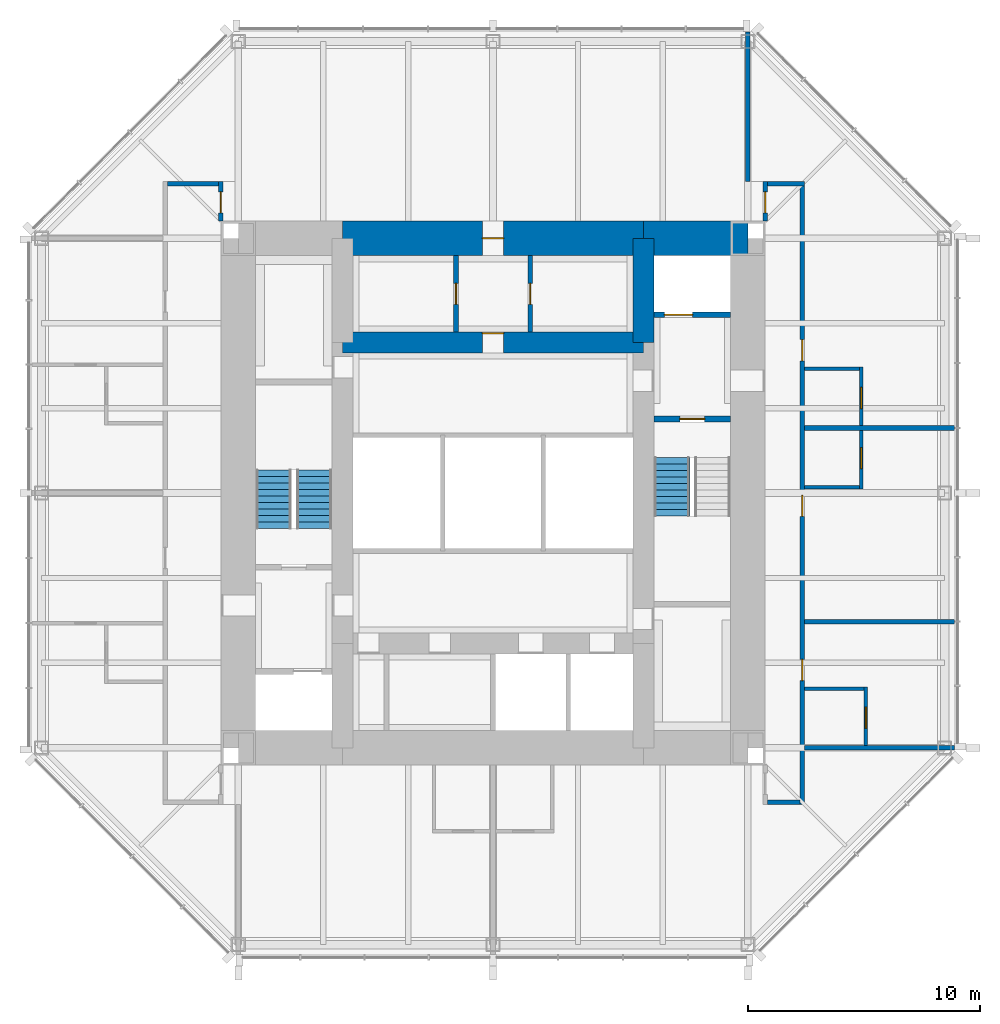
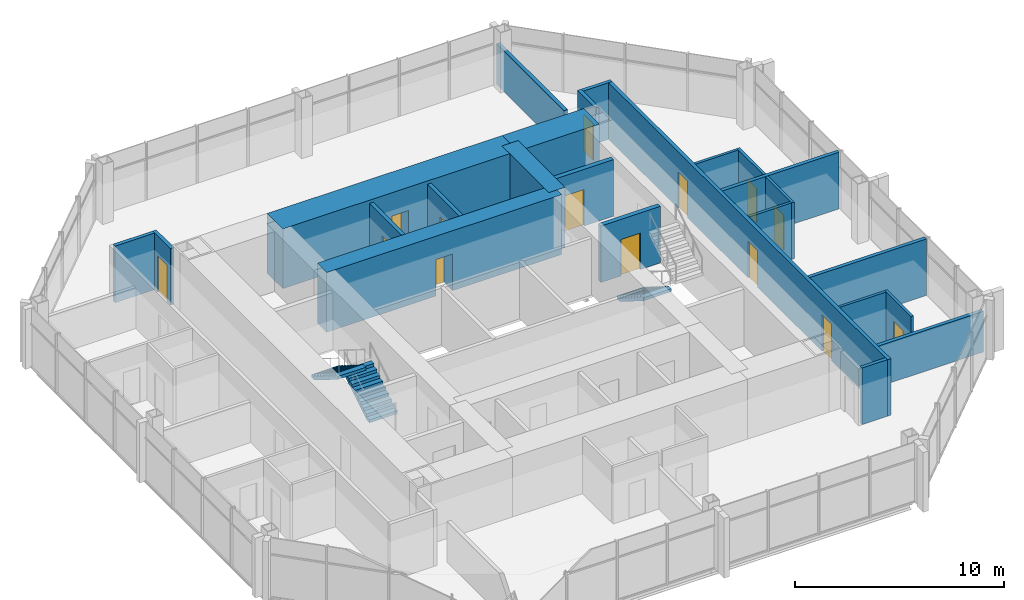
# One storey, part 9 of 11: 24 walls, 14 doors, 3 stair flights, 14 openings, 2 elements without a shape of their own.
"""IFC4 building model written with IfcOpenShell, lengths in metres."""

from ifc_helpers import new_model, si_unit, direction, frame, frame_2d, origin, place, context, subcontext, project, spatial, polyline, rectangle, outline, extrude, material, layer, layer_set, type_object, element, fill, aggregate, save


model = new_model("IFC4")

# Units and contexts
model_context = context("Model", 3, precision=1e-05, world=origin(), true_north=direction((0.0, 1.0)))
body_context = subcontext(model_context, "Body", "Model", "MODEL_VIEW")
ifc_project = project(units=[si_unit("LENGTHUNIT", "METRE"), si_unit("AREAUNIT", "SQUARE_METRE"), si_unit("VOLUMEUNIT", "CUBIC_METRE"), si_unit("PLANEANGLEUNIT", "RADIAN"), si_unit("MASSUNIT", "GRAM", prefix="KILO")], contexts=[model_context])

# Site, building, storey
site_placement = place(None, origin())
site = spatial("IfcSite", under=ifc_project, at=site_placement, CompositionType="ELEMENT")
building_placement = place(site_placement, origin())
building = spatial("IfcBuilding", under=site, at=building_placement, Name="Trevanion Tower", CompositionType="ELEMENT")
storey_placement = place(building_placement, frame((0.0, 0.0, 253.699951171875)))
storey = spatial("IfcBuildingStorey", under=building, at=storey_placement, Name="L62", CompositionType="ELEMENT", Elevation=253.699951171875)

# Wall
ifc_material_1 = material(Name="Concrete 10,000 psi", Category="concrete")
ifc_layer_1 = layer(ifc_material_1, 1.5)
ifc_layer_set_1 = layer_set([ifc_layer_1], Name="CW1 core wall 1500")
wall_type_1 = type_object("IfcWallType", Name="CW1 core wall 1500", PredefinedType="SHEAR", material=ifc_layer_set_1)
wall_1_placement = place(storey_placement, frame((11.0, 11.0, 0.0), z_axis=(0.0, 0.0, 1.0), x_axis=(-1.0, 0.0, 0.0)))
element("IfcWall", 1, at=wall_1_placement, inside=storey, type_object=wall_type_1, Name="CW1 CN1 L62", PredefinedType="SHEAR", context=body_context, shape_type="SweptSolid", body=[
    extrude(rectangle(XDim=4.5, YDim=1.5, at=frame_2d((2.25, 0.0))), origin(), (0.0, 0.0, 1.0), 3.5),
])

# Wall, opening, door
wall_2_placement = place(storey_placement, frame((6.5, 11.0, 0.0), z_axis=(0.0, 0.0, 1.0), x_axis=(-1.0, 0.0, 0.0)))
wall_2 = element("IfcWall", 2, at=wall_2_placement, inside=storey, type_object=wall_type_1, Name="CW1 CN2 L62", PredefinedType="SHEAR", context=body_context, shape_type="SweptSolid", body=[
    extrude(rectangle(XDim=13.0, YDim=1.5, at=frame_2d((6.5, 0.0))), origin(), (0.0, 0.0, 1.0), 3.5),
])
opening_1_placement = place(wall_2_placement, frame((6.04248046875, 0.0, 0.0)))
opening_1 = element("IfcOpeningElement", 3, at=opening_1_placement, cuts=wall_2, Name="Opening 62-015", PredefinedType="OPENING", context=body_context, shape_type="SweptSolid", body=[
    extrude(rectangle(XDim=0.9150390625, YDim=2.134033203125, at=frame_2d((0.45751953125, 1.06689453125))), frame((0.0, 0.760009765625, 0.0), z_axis=(0.0, -1.0, 0.0), x_axis=(1.0, 0.0, 0.0)), (0.0, 0.0, 1.0), 1.52001953125),
])
ifc_material_2 = material(Name="Hollow metal, fire rated", Category="steel")
door_type_1 = type_object("IfcDoorType", Name="D5 service room door", OperationType="SINGLE_SWING_RIGHT", PredefinedType="DOOR", material=ifc_material_2)
door_1_placement = place(opening_1_placement, origin())
door_1 = element("IfcDoor", 4, at=door_1_placement, inside=storey, type_object=door_type_1, Name="Door 62-015", OperationType="SINGLE_SWING_RIGHT", OverallHeight=2.134033203125, OverallWidth=0.9150390625, PredefinedType="DOOR", context=body_context, shape_type="SweptSolid", body=[
    extrude(rectangle(XDim=0.9150390625, YDim=2.134033203125, at=frame_2d((0.45751953125, 1.06689453125))), frame((0.0, 0.02490234375, 0.0), z_axis=(0.0, -1.0, 0.0), x_axis=(1.0, 0.0, 0.0)), (0.0, 0.0, 1.0), 0.050048828125),
])
fill(opening_1, door_1)

# Wall
ifc_material_3 = material(Name="Concrete 10,000 psi", Category="concrete")
ifc_layer_2 = layer(ifc_material_3, 0.89990234375)
ifc_layer_set_2 = layer_set([ifc_layer_2], Name="CW2 core wall 900")
wall_type_2 = type_object("IfcWallType", Name="CW2 core wall 900", PredefinedType="SHEAR", material=ifc_layer_set_2)
wall_3_placement = place(storey_placement, frame((6.5, 6.5, 0.0), z_axis=(0.0, 0.0, 1.0), x_axis=(0.0, 1.0, 0.0)))
element("IfcWall", 5, at=wall_3_placement, inside=storey, type_object=wall_type_2, Name="CW2 RE3 L62", PredefinedType="SHEAR", context=body_context, shape_type="SweptSolid", body=[
    extrude(rectangle(XDim=4.5, YDim=0.89990234375, at=frame_2d((2.25, 0.0))), origin(), (0.0, 0.0, 1.0), 3.5),
])

# Wall, opening, door
wall_4_placement = place(storey_placement, frame((6.5, 6.5, 0.0), z_axis=(0.0, 0.0, 1.0), x_axis=(-1.0, 0.0, 0.0)))
wall_4 = element("IfcWall", 6, at=wall_4_placement, inside=storey, type_object=wall_type_2, Name="CW2 RN L62", PredefinedType="SHEAR", context=body_context, shape_type="SweptSolid", body=[
    extrude(rectangle(XDim=13.0, YDim=0.89990234375, at=frame_2d((6.5, 0.0))), origin(), (0.0, 0.0, 1.0), 3.5),
])
opening_2_placement = place(wall_4_placement, frame((6.04248046875, 0.0, 0.0)))
opening_2 = element("IfcOpeningElement", 7, at=opening_2_placement, cuts=wall_4, Name="Opening 62-016", PredefinedType="OPENING", context=body_context, shape_type="SweptSolid", body=[
    extrude(rectangle(XDim=0.9150390625, YDim=2.134033203125, at=frame_2d((0.45751953125, 1.06689453125))), frame((0.0, 0.4599609375, 0.0), z_axis=(0.0, -1.0, 0.0), x_axis=(1.0, 0.0, 0.0)), (0.0, 0.0, 1.0), 0.919921875),
])
door_2_placement = place(opening_2_placement, origin())
door_2 = element("IfcDoor", 8, at=door_2_placement, inside=storey, type_object=door_type_1, Name="Door 62-016", OperationType="SINGLE_SWING_RIGHT", OverallHeight=2.134033203125, OverallWidth=0.9150390625, PredefinedType="DOOR", context=body_context, shape_type="SweptSolid", body=[
    extrude(rectangle(XDim=0.9150390625, YDim=2.134033203125, at=frame_2d((0.45751953125, 1.06689453125))), frame((0.0, -0.375, 0.0), z_axis=(0.0, -1.0, 0.0), x_axis=(1.0, 0.0, 0.0)), (0.0, 0.0, 1.0), 0.050048828125),
])
fill(opening_2, door_2)

ifc_material_4 = material(Name="Gypsum board on steel studs", Category="steel")
ifc_layer_3 = layer(ifc_material_4, 0.14990234375)
ifc_layer_set_3 = layer_set([ifc_layer_3], Name="PT1 partition 150")
wall_type_3 = type_object("IfcWallType", Name="PT1 partition 150", PredefinedType="PARTITIONING", material=ifc_layer_set_3)
wall_5_placement = place(storey_placement, frame((16.10009765625, -10.89990234375, 0.0), z_axis=(0.0, 0.0, 1.0), x_axis=(0.0, 1.0, 0.0)))
wall_5 = element("IfcWall", 9, at=wall_5_placement, inside=storey, type_object=wall_type_3, Name="PT1 L62 BA00", PredefinedType="PARTITIONING", context=body_context, shape_type="SweptSolid", body=[
    extrude(rectangle(XDim=2.52490234375, YDim=0.14990234375, at=frame_2d((1.262451171875, 0.0))), origin(), (0.0, 0.0, 1.0), 3.31005859375),
])
opening_3_placement = place(wall_5_placement, frame((0.742431640625, 0.0, 0.0)))
opening_3 = element("IfcOpeningElement", 10, at=opening_3_placement, cuts=wall_5, Name="Opening 62-019", PredefinedType="OPENING", context=body_context, shape_type="SweptSolid", body=[
    extrude(rectangle(XDim=0.9150390625, YDim=2.031982421875, at=frame_2d((0.45751953125, 1.01611328125))), frame((0.0, 0.0849609375, 0.0), z_axis=(0.0, -1.0, 0.0), x_axis=(1.0, 0.0, 0.0)), (0.0, 0.0, 1.0), 0.169921875),
])
ifc_material_5 = material(Name="Timber veneer", Category="wood")
door_type_2 = type_object("IfcDoorType", Name="D7 bathroom door", OperationType="SINGLE_SWING_LEFT", PredefinedType="DOOR", material=ifc_material_5)
door_3_placement = place(opening_3_placement, origin())
door_3 = element("IfcDoor", 11, at=door_3_placement, inside=storey, type_object=door_type_2, Name="Door 62-019", OperationType="SINGLE_SWING_LEFT", OverallHeight=2.031982421875, OverallWidth=0.9150390625, PredefinedType="DOOR", context=body_context, shape_type="SweptSolid", body=[
    extrude(rectangle(XDim=0.9150390625, YDim=2.031982421875, at=frame_2d((0.45751953125, 1.01611328125))), frame((0.0, 0.02490234375, 0.0), z_axis=(0.0, -1.0, 0.0), x_axis=(1.0, 0.0, 0.0)), (0.0, 0.0, 1.0), 0.050048828125),
])
fill(opening_3, door_3)

# Wall
wall_6_placement = place(storey_placement, frame((13.449951171875, -8.449951171875, 0.0), z_axis=(0.0, 0.0, 1.0), x_axis=(1.0, 0.0, 0.0)))
element("IfcWall", 12, at=wall_6_placement, inside=storey, type_object=wall_type_3, Name="PT1 L62 BB00", PredefinedType="PARTITIONING", context=body_context, shape_type="SweptSolid", body=[
    extrude(rectangle(XDim=2.574951171875, YDim=0.14990234375, at=frame_2d((1.28759765625, 0.0))), origin(), (0.0, 0.0, 1.0), 3.31005859375),
])

# Wall, opening, door
wall_7_placement = place(storey_placement, frame((15.89990234375, 0.181884765625, 0.0), z_axis=(0.0, 0.0, 1.0), x_axis=(0.0, 1.0, 0.0)))
wall_7 = element("IfcWall", 13, at=wall_7_placement, inside=storey, type_object=wall_type_3, Name="PT1 L62 BA01", PredefinedType="PARTITIONING", context=body_context, shape_type="SweptSolid", body=[
    extrude(rectangle(XDim=2.525146484375, YDim=0.14990234375, at=frame_2d((1.2626953125, 0.0))), origin(), (0.0, 0.0, 1.0), 3.31005859375),
])
opening_4_placement = place(wall_7_placement, frame((0.867431640625, 0.0, 0.0)))
opening_4 = element("IfcOpeningElement", 14, at=opening_4_placement, cuts=wall_7, Name="Opening 62-021", PredefinedType="OPENING", context=body_context, shape_type="SweptSolid", body=[
    extrude(rectangle(XDim=0.9150390625, YDim=2.031982421875, at=frame_2d((0.45751953125, 1.01611328125))), frame((0.0, 0.0849609375, 0.0), z_axis=(0.0, -1.0, 0.0), x_axis=(1.0, 0.0, 0.0)), (0.0, 0.0, 1.0), 0.169921875),
])
door_4_placement = place(opening_4_placement, origin())
door_4 = element("IfcDoor", 15, at=door_4_placement, inside=storey, type_object=door_type_2, Name="Door 62-021", OperationType="SINGLE_SWING_LEFT", OverallHeight=2.031982421875, OverallWidth=0.9150390625, PredefinedType="DOOR", context=body_context, shape_type="SweptSolid", body=[
    extrude(rectangle(XDim=0.9150390625, YDim=2.031982421875, at=frame_2d((0.45751953125, 1.01611328125))), frame((0.0, 0.02490234375, 0.0), z_axis=(0.0, -1.0, 0.0), x_axis=(1.0, 0.0, 0.0)), (0.0, 0.0, 1.0), 0.050048828125),
])
fill(opening_4, door_4)

# Wall
wall_8_placement = place(storey_placement, frame((13.449951171875, 0.257080078125, 0.0), z_axis=(0.0, 0.0, 1.0), x_axis=(1.0, 0.0, 0.0)))
element("IfcWall", 16, at=wall_8_placement, inside=storey, type_object=wall_type_3, Name="PT1 L62 BB01", PredefinedType="PARTITIONING", context=body_context, shape_type="SweptSolid", body=[
    extrude(rectangle(XDim=2.375, YDim=0.14990234375, at=frame_2d((1.1875, 0.0))), origin(), (0.0, 0.0, 1.0), 3.31005859375),
])

# Wall, opening, door
wall_9_placement = place(storey_placement, frame((15.89990234375, 2.906982421875, 0.0), z_axis=(0.0, 0.0, 1.0), x_axis=(0.0, 1.0, 0.0)))
wall_9 = element("IfcWall", 17, at=wall_9_placement, inside=storey, type_object=wall_type_3, Name="PT1 L62 BA02", PredefinedType="PARTITIONING", context=body_context, shape_type="SweptSolid", body=[
    extrude(rectangle(XDim=2.52490234375, YDim=0.14990234375, at=frame_2d((1.262451171875, 0.0))), origin(), (0.0, 0.0, 1.0), 3.31005859375),
])
opening_5_placement = place(wall_9_placement, frame((0.742431640625, 0.0, 0.0)))
opening_5 = element("IfcOpeningElement", 18, at=opening_5_placement, cuts=wall_9, Name="Opening 62-023", PredefinedType="OPENING", context=body_context, shape_type="SweptSolid", body=[
    extrude(rectangle(XDim=0.9150390625, YDim=2.031982421875, at=frame_2d((0.45751953125, 1.01611328125))), frame((0.0, 0.0849609375, 0.0), z_axis=(0.0, -1.0, 0.0), x_axis=(1.0, 0.0, 0.0)), (0.0, 0.0, 1.0), 0.169921875),
])
door_5_placement = place(opening_5_placement, origin())
door_5 = element("IfcDoor", 19, at=door_5_placement, inside=storey, type_object=door_type_2, Name="Door 62-023", OperationType="SINGLE_SWING_LEFT", OverallHeight=2.031982421875, OverallWidth=0.9150390625, PredefinedType="DOOR", context=body_context, shape_type="SweptSolid", body=[
    extrude(rectangle(XDim=0.9150390625, YDim=2.031982421875, at=frame_2d((0.45751953125, 1.01611328125))), frame((0.0, 0.02490234375, 0.0), z_axis=(0.0, -1.0, 0.0), x_axis=(1.0, 0.0, 0.0)), (0.0, 0.0, 1.0), 0.050048828125),
])
fill(opening_5, door_5)

# Wall
wall_10_placement = place(storey_placement, frame((13.449951171875, 5.35693359375, 0.0), z_axis=(0.0, 0.0, 1.0), x_axis=(1.0, 0.0, 0.0)))
element("IfcWall", 20, at=wall_10_placement, inside=storey, type_object=wall_type_3, Name="PT1 L62 BB02", PredefinedType="PARTITIONING", context=body_context, shape_type="SweptSolid", body=[
    extrude(rectangle(XDim=2.375, YDim=0.14990234375, at=frame_2d((1.1875, 0.0))), origin(), (0.0, 0.0, 1.0), 3.31005859375),
])

# Wall, opening, door
ifc_material_6 = material(Name="Concrete masonry, grouted", Category="masonry")
ifc_layer_4 = layer(ifc_material_6, 0.199951171875)
ifc_layer_set_4 = layer_set([ifc_layer_4], Name="PT2 partition 200 1 HR")
wall_type_4 = type_object("IfcWallType", Name="PT2 partition 200 1 HR", PredefinedType="PARTITIONING", material=ifc_layer_set_4)
wall_11_placement = place(storey_placement, frame((-1.60009765625, 6.949951171875, 0.0), z_axis=(0.0, 0.0, 1.0), x_axis=(0.0, 1.0, 0.0)))
wall_11 = element("IfcWall", 21, at=wall_11_placement, inside=storey, type_object=wall_type_4, Name="PT2 L62 HKP1", PredefinedType="PARTITIONING", context=body_context, shape_type="SweptSolid", body=[
    extrude(rectangle(XDim=3.300048828125, YDim=0.199951171875, at=frame_2d((1.64990234375, 0.0))), origin(), (0.0, 0.0, 1.0), 3.31005859375),
])
opening_6_placement = place(wall_11_placement, frame((1.1923828125, 0.0, 0.0)))
opening_6 = element("IfcOpeningElement", 22, at=opening_6_placement, cuts=wall_11, Name="Opening 62-017", PredefinedType="OPENING", context=body_context, shape_type="SweptSolid", body=[
    extrude(rectangle(XDim=0.9150390625, YDim=2.134033203125, at=frame_2d((0.45751953125, 1.06689453125))), frame((0.0, 0.10986328125, 0.0), z_axis=(0.0, -1.0, 0.0), x_axis=(1.0, 0.0, 0.0)), (0.0, 0.0, 1.0), 0.219970703125),
])
door_6_placement = place(opening_6_placement, origin())
door_6 = element("IfcDoor", 23, at=door_6_placement, inside=storey, type_object=door_type_1, Name="Door 62-017", OperationType="SINGLE_SWING_RIGHT", OverallHeight=2.134033203125, OverallWidth=0.9150390625, PredefinedType="DOOR", context=body_context, shape_type="SweptSolid", body=[
    extrude(rectangle(XDim=0.9150390625, YDim=2.134033203125, at=frame_2d((0.45751953125, 1.06689453125))), frame((0.0, 0.02490234375, 0.0), z_axis=(0.0, -1.0, 0.0), x_axis=(1.0, 0.0, 0.0)), (0.0, 0.0, 1.0), 0.050048828125),
])
fill(opening_6, door_6)

wall_12_placement = place(storey_placement, frame((1.60009765625, 6.949951171875, 0.0), z_axis=(0.0, 0.0, 1.0), x_axis=(0.0, 1.0, 0.0)))
wall_12 = element("IfcWall", 24, at=wall_12_placement, inside=storey, type_object=wall_type_4, Name="PT2 L62 HKP2", PredefinedType="PARTITIONING", context=body_context, shape_type="SweptSolid", body=[
    extrude(rectangle(XDim=3.300048828125, YDim=0.199951171875, at=frame_2d((1.64990234375, 0.0))), origin(), (0.0, 0.0, 1.0), 3.31005859375),
])
opening_7_placement = place(wall_12_placement, frame((1.1923828125, 0.0, 0.0)))
opening_7 = element("IfcOpeningElement", 25, at=opening_7_placement, cuts=wall_12, Name="Opening 62-018", PredefinedType="OPENING", context=body_context, shape_type="SweptSolid", body=[
    extrude(rectangle(XDim=0.9150390625, YDim=2.134033203125, at=frame_2d((0.45751953125, 1.06689453125))), frame((0.0, 0.10986328125, 0.0), z_axis=(0.0, -1.0, 0.0), x_axis=(1.0, 0.0, 0.0)), (0.0, 0.0, 1.0), 0.219970703125),
])
door_7_placement = place(opening_7_placement, origin())
door_7 = element("IfcDoor", 26, at=door_7_placement, inside=storey, type_object=door_type_1, Name="Door 62-018", OperationType="SINGLE_SWING_RIGHT", OverallHeight=2.134033203125, OverallWidth=0.9150390625, PredefinedType="DOOR", context=body_context, shape_type="SweptSolid", body=[
    extrude(rectangle(XDim=0.9150390625, YDim=2.134033203125, at=frame_2d((0.45751953125, 1.06689453125))), frame((0.0, 0.02490234375, 0.0), z_axis=(0.0, -1.0, 0.0), x_axis=(1.0, 0.0, 0.0)), (0.0, 0.0, 1.0), 0.050048828125),
])
fill(opening_7, door_7)

wall_13_placement = place(storey_placement, frame((11.75, 11.75, 0.0), z_axis=(0.0, 0.0, 1.0), x_axis=(0.0, 1.0, 0.0)))
wall_13 = element("IfcWall", 27, at=wall_13_placement, inside=storey, type_object=wall_type_4, Name="PT2 L62 HO1a", PredefinedType="PARTITIONING", context=body_context, shape_type="SweptSolid", body=[
    extrude(rectangle(XDim=1.699951171875, YDim=0.199951171875, at=frame_2d((0.85009765625, 0.0))), origin(), (0.0, 0.0, 1.0), 3.31005859375),
])
opening_8_placement = place(wall_13_placement, frame((0.342529296875, 0.0, 0.0)))
opening_8 = element("IfcOpeningElement", 28, at=opening_8_placement, cuts=wall_13, Name="Opening 62-025", PredefinedType="OPENING", context=body_context, shape_type="SweptSolid", body=[
    extrude(rectangle(XDim=0.9150390625, YDim=2.134033203125, at=frame_2d((0.45751953125, 1.06689453125))), frame((0.0, 0.10986328125, 0.0), z_axis=(0.0, -1.0, 0.0), x_axis=(1.0, 0.0, 0.0)), (0.0, 0.0, 1.0), 0.219970703125),
])
ifc_material_7 = material(Name="Timber veneer, fire rated", Category="wood")
door_type_3 = type_object("IfcDoorType", Name="D10 office door in a one hour wall", OperationType="SINGLE_SWING_LEFT", PredefinedType="DOOR", material=ifc_material_7)
door_8_placement = place(opening_8_placement, origin())
door_8 = element("IfcDoor", 29, at=door_8_placement, inside=storey, type_object=door_type_3, Name="Door 62-025", OperationType="SINGLE_SWING_LEFT", OverallHeight=2.134033203125, OverallWidth=0.9150390625, PredefinedType="DOOR", context=body_context, shape_type="SweptSolid", body=[
    extrude(rectangle(XDim=0.9150390625, YDim=2.134033203125, at=frame_2d((0.45751953125, 1.06689453125))), frame((0.0, 0.02490234375, 0.0), z_axis=(0.0, -1.0, 0.0), x_axis=(1.0, 0.0, 0.0)), (0.0, 0.0, 1.0), 0.050048828125),
])
fill(opening_8, door_8)

wall_14_placement = place(storey_placement, frame((-11.75, 11.75, 0.0), z_axis=(0.0, 0.0, 1.0), x_axis=(0.0, 1.0, 0.0)))
wall_14 = element("IfcWall", 30, at=wall_14_placement, inside=storey, type_object=wall_type_4, Name="PT2 L62 HO1b", PredefinedType="PARTITIONING", context=body_context, shape_type="SweptSolid", body=[
    extrude(rectangle(XDim=1.699951171875, YDim=0.199951171875, at=frame_2d((0.85009765625, 0.0))), origin(), (0.0, 0.0, 1.0), 3.31005859375),
])
opening_9_placement = place(wall_14_placement, frame((0.342529296875, 0.0, 0.0)))
opening_9 = element("IfcOpeningElement", 31, at=opening_9_placement, cuts=wall_14, Name="Opening 62-026", PredefinedType="OPENING", context=body_context, shape_type="SweptSolid", body=[
    extrude(rectangle(XDim=0.9150390625, YDim=2.134033203125, at=frame_2d((0.45751953125, 1.06689453125))), frame((0.0, 0.10986328125, 0.0), z_axis=(0.0, -1.0, 0.0), x_axis=(1.0, 0.0, 0.0)), (0.0, 0.0, 1.0), 0.219970703125),
])
door_9_placement = place(opening_9_placement, origin())
door_9 = element("IfcDoor", 32, at=door_9_placement, inside=storey, type_object=door_type_3, Name="Door 62-026", OperationType="SINGLE_SWING_LEFT", OverallHeight=2.134033203125, OverallWidth=0.9150390625, PredefinedType="DOOR", context=body_context, shape_type="SweptSolid", body=[
    extrude(rectangle(XDim=0.9150390625, YDim=2.134033203125, at=frame_2d((0.45751953125, 1.06689453125))), frame((0.0, 0.02490234375, 0.0), z_axis=(0.0, -1.0, 0.0), x_axis=(1.0, 0.0, 0.0)), (0.0, 0.0, 1.0), 0.050048828125),
])
fill(opening_9, door_9)

# Walls
wall_15_placement = place(storey_placement, frame((13.449951171875, 13.35009765625, 0.0), z_axis=(0.0, 0.0, 1.0), x_axis=(-1.0, 0.0, 0.0)))
element("IfcWall", 33, at=wall_15_placement, inside=storey, type_object=wall_type_4, Name="PT2 L62 HC1ca", PredefinedType="PARTITIONING", context=body_context, shape_type="SweptSolid", body=[
    extrude(rectangle(XDim=1.599853515625, YDim=0.199951171875, at=frame_2d((0.7998046875, 0.0))), origin(), (0.0, 0.0, 1.0), 3.31005859375),
])
wall_16_placement = place(storey_placement, frame((-11.85009765625, 13.35009765625, 0.0), z_axis=(0.0, 0.0, 1.0), x_axis=(-1.0, 0.0, 0.0)))
element("IfcWall", 34, at=wall_16_placement, inside=storey, type_object=wall_type_4, Name="PT2 L62 HC1cb", PredefinedType="PARTITIONING", context=body_context, shape_type="SweptSolid", body=[
    extrude(rectangle(XDim=2.199951171875, YDim=0.199951171875, at=frame_2d((1.10009765625, 0.0))), origin(), (0.0, 0.0, 1.0), 3.31005859375),
])
wall_17_placement = place(storey_placement, frame((11.85009765625, -13.35009765625, 0.0), z_axis=(0.0, 0.0, 1.0), x_axis=(1.0, 0.0, 0.0)))
element("IfcWall", 35, at=wall_17_placement, inside=storey, type_object=wall_type_4, Name="PT2 L62 HC3cb", PredefinedType="PARTITIONING", context=body_context, shape_type="SweptSolid", body=[
    extrude(rectangle(XDim=1.39990234375, YDim=0.199951171875, at=frame_2d((0.699951171875, 0.0))), origin(), (0.0, 0.0, 1.0), 3.31005859375),
])

# Wall, openings, doors
wall_18_placement = place(storey_placement, frame((13.35009765625, -13.449951171875, 0.0), z_axis=(0.0, 0.0, 1.0), x_axis=(0.0, 1.0, 0.0)))
wall_18 = element("IfcWall", 36, at=wall_18_placement, inside=storey, type_object=wall_type_4, Name="PT2 L62 HC0", PredefinedType="PARTITIONING", context=body_context, shape_type="SweptSolid", body=[
    extrude(rectangle(XDim=26.699951171875, YDim=0.199951171875, at=frame_2d((13.35009765625, 0.0))), origin(), (0.0, 0.0, 1.0), 3.31005859375),
])
opening_10_placement = place(wall_18_placement, frame((5.3525390625, 0.0, 0.0)))
opening_10 = element("IfcOpeningElement", 37, at=opening_10_placement, cuts=wall_18, Name="Opening 62-020", PredefinedType="OPENING", context=body_context, shape_type="SweptSolid", body=[
    extrude(rectangle(XDim=0.9150390625, YDim=2.134033203125, at=frame_2d((0.45751953125, 1.06689453125))), frame((0.0, 0.10986328125, 0.0), z_axis=(0.0, -1.0, 0.0), x_axis=(1.0, 0.0, 0.0)), (0.0, 0.0, 1.0), 0.219970703125),
])
opening_11_placement = place(wall_18_placement, frame((12.439453125, 0.0, 0.0)))
opening_11 = element("IfcOpeningElement", 38, at=opening_11_placement, cuts=wall_18, Name="Opening 62-022", PredefinedType="OPENING", context=body_context, shape_type="SweptSolid", body=[
    extrude(rectangle(XDim=0.9150390625, YDim=2.134033203125, at=frame_2d((0.45751953125, 1.06689453125))), frame((0.0, 0.10986328125, 0.0), z_axis=(0.0, -1.0, 0.0), x_axis=(1.0, 0.0, 0.0)), (0.0, 0.0, 1.0), 0.219970703125),
])
opening_12_placement = place(wall_18_placement, frame((19.159423828125, 0.0, 0.0)))
opening_12 = element("IfcOpeningElement", 39, at=opening_12_placement, cuts=wall_18, Name="Opening 62-024", PredefinedType="OPENING", context=body_context, shape_type="SweptSolid", body=[
    extrude(rectangle(XDim=0.9150390625, YDim=2.134033203125, at=frame_2d((0.45751953125, 1.06689453125))), frame((0.0, 0.10986328125, 0.0), z_axis=(0.0, -1.0, 0.0), x_axis=(1.0, 0.0, 0.0)), (0.0, 0.0, 1.0), 0.219970703125),
])
ifc_material_8 = material(Name="Timber veneer, fire rated", Category="wood")
door_type_4 = type_object("IfcDoorType", Name="D6 guest room entrance door", OperationType="SINGLE_SWING_LEFT", PredefinedType="DOOR", material=ifc_material_8)
door_10_placement = place(opening_10_placement, origin())
door_10 = element("IfcDoor", 40, at=door_10_placement, inside=storey, type_object=door_type_4, Name="Door 62-020", OperationType="SINGLE_SWING_LEFT", OverallHeight=2.134033203125, OverallWidth=0.9150390625, PredefinedType="DOOR", context=body_context, shape_type="SweptSolid", body=[
    extrude(rectangle(XDim=0.9150390625, YDim=2.134033203125, at=frame_2d((0.45751953125, 1.06689453125))), frame((0.0, 0.02490234375, 0.0), z_axis=(0.0, -1.0, 0.0), x_axis=(1.0, 0.0, 0.0)), (0.0, 0.0, 1.0), 0.050048828125),
])
fill(opening_10, door_10)
door_11_placement = place(opening_11_placement, origin())
door_11 = element("IfcDoor", 41, at=door_11_placement, inside=storey, type_object=door_type_4, Name="Door 62-022", OperationType="SINGLE_SWING_LEFT", OverallHeight=2.134033203125, OverallWidth=0.9150390625, PredefinedType="DOOR", context=body_context, shape_type="SweptSolid", body=[
    extrude(rectangle(XDim=0.9150390625, YDim=2.134033203125, at=frame_2d((0.45751953125, 1.06689453125))), frame((0.0, 0.02490234375, 0.0), z_axis=(0.0, -1.0, 0.0), x_axis=(1.0, 0.0, 0.0)), (0.0, 0.0, 1.0), 0.050048828125),
])
fill(opening_11, door_11)
door_12_placement = place(opening_12_placement, origin())
door_12 = element("IfcDoor", 42, at=door_12_placement, inside=storey, type_object=door_type_4, Name="Door 62-024", OperationType="SINGLE_SWING_LEFT", OverallHeight=2.134033203125, OverallWidth=0.9150390625, PredefinedType="DOOR", context=body_context, shape_type="SweptSolid", body=[
    extrude(rectangle(XDim=0.9150390625, YDim=2.134033203125, at=frame_2d((0.45751953125, 1.06689453125))), frame((0.0, 0.02490234375, 0.0), z_axis=(0.0, -1.0, 0.0), x_axis=(1.0, 0.0, 0.0)), (0.0, 0.0, 1.0), 0.050048828125),
])
fill(opening_12, door_12)

# Walls
wall_19_placement = place(storey_placement, frame((13.449951171875, -11.0, 0.0), z_axis=(0.0, 0.0, 1.0), x_axis=(1.0, 0.0, 0.0)))
element("IfcWall", 43, at=wall_19_placement, inside=storey, type_object=wall_type_4, Name="PT2 L62 HD00", PredefinedType="PARTITIONING", context=body_context, shape_type="SweptSolid", body=[
    extrude(rectangle(XDim=6.465087890625, YDim=0.199951171875, at=frame_2d((3.232421875, 0.0))), origin(), (0.0, 0.0, 1.0), 2.383056640625),
])
for number, where, z_axis, x_axis, name in (
    (44, (13.449951171875, -5.549072265625, 0.0), (0.0, 0.0, 1.0), (1.0, 0.0, 0.0), "PT2 L62 HD01"),
    (45, (13.449951171875, 2.806884765625, 0.0), (0.0, 0.0, 1.0), (1.0, 0.0, 0.0), "PT2 L62 HD02"),
):
    element("IfcWall", number, at=place(storey_placement, frame(where, z_axis=z_axis, x_axis=x_axis)), inside=storey, type_object=wall_type_4, Name=name, PredefinedType="PARTITIONING", context=body_context, shape_type="SweptSolid", body=[
        extrude(rectangle(XDim=6.465087890625, YDim=0.199951171875, at=frame_2d((3.232421875, 0.0))), origin(), (0.0, 0.0, 1.0), 3.31005859375),
    ])
wall_20_placement = place(storey_placement, frame((11.0, 13.449951171875, 0.0), z_axis=(0.0, 0.0, 1.0), x_axis=(0.0, 1.0, 0.0)))
element("IfcWall", 46, at=wall_20_placement, inside=storey, type_object=wall_type_4, Name="PT2 L62 HD10", PredefinedType="PARTITIONING", context=body_context, shape_type="SweptSolid", body=[
    extrude(rectangle(XDim=6.465087890625, YDim=0.199951171875, at=frame_2d((3.232421875, 0.0))), origin(), (0.0, 0.0, 1.0), 2.383056640625),
])

# Wall, opening, door
ifc_material_9 = material(Name="Concrete masonry, grouted, two-hour", Category="masonry")
ifc_layer_5 = layer(ifc_material_9, 0.25)
ifc_layer_set_5 = layer_set([ifc_layer_5], Name="PT3 partition 250 2 HR")
wall_type_5 = type_object("IfcWallType", Name="PT3 partition 250 2 HR", PredefinedType="PARTITIONING", material=ifc_layer_set_5)
wall_21_placement = place(storey_placement, frame((6.949951171875, 7.699951171875, 0.0), z_axis=(0.0, 0.0, 1.0), x_axis=(1.0, 0.0, 0.0)))
wall_21 = element("IfcWall", 47, at=wall_21_placement, inside=storey, type_object=wall_type_5, Name="PT3 L62 EP3", PredefinedType="PARTITIONING", context=body_context, shape_type="SweptSolid", body=[
    extrude(rectangle(XDim=3.300048828125, YDim=0.25, at=frame_2d((1.64990234375, 0.0))), origin(), (0.0, 0.0, 1.0), 3.31005859375),
])
opening_13_placement = place(wall_21_placement, frame((0.449951171875, 0.0, 0.0)))
opening_13 = element("IfcOpeningElement", 48, at=opening_13_placement, cuts=wall_21, Name="Opening 62-007", PredefinedType="OPENING", context=body_context, shape_type="SweptSolid", body=[
    extrude(rectangle(XDim=1.218994140625, YDim=2.134033203125, at=frame_2d((0.609375, 1.06689453125))), frame((0.0, 0.135009765625, 0.0), z_axis=(0.0, -1.0, 0.0), x_axis=(1.0, 0.0, 0.0)), (0.0, 0.0, 1.0), 0.27001953125),
])
ifc_material_10 = material(Name="Stainless steel, fire rated", Category="steel")
door_type_5 = type_object("IfcDoorType", Name="LD2 fire service lift landing door", OperationType="SLIDING_TO_LEFT", PredefinedType="DOOR", material=ifc_material_10)
door_13_placement = place(opening_13_placement, origin())
door_13 = element("IfcDoor", 49, at=door_13_placement, inside=storey, type_object=door_type_5, Name="Door 62-007", OperationType="SLIDING_TO_LEFT", OverallHeight=2.134033203125, OverallWidth=1.218994140625, PredefinedType="DOOR", context=body_context, shape_type="SweptSolid", body=[
    extrude(rectangle(XDim=1.218994140625, YDim=2.134033203125, at=frame_2d((0.609375, 1.06689453125))), frame((0.0, 0.02490234375, 0.0), z_axis=(0.0, -1.0, 0.0), x_axis=(1.0, 0.0, 0.0)), (0.0, 0.0, 1.0), 0.050048828125),
])
fill(opening_13, door_13)

ifc_material_11 = material(Name="Reinforced masonry, fully grouted", Category="masonry")
ifc_layer_6 = layer(ifc_material_11, 0.25)
ifc_layer_set_6 = layer_set([ifc_layer_6], Name="SW1 stair shaft wall 250")
wall_type_6 = type_object("IfcWallType", Name="SW1 stair shaft wall 250", PredefinedType="SOLIDWALL", material=ifc_layer_set_6)
wall_22_placement = place(storey_placement, frame((6.949951171875, 3.199951171875, 0.0), z_axis=(0.0, 0.0, 1.0), x_axis=(1.0, 0.0, 0.0)))
wall_22 = element("IfcWall", 50, at=wall_22_placement, inside=storey, type_object=wall_type_6, Name="SW1 L62 EP2", PredefinedType="SOLIDWALL", context=body_context, shape_type="SweptSolid", body=[
    extrude(rectangle(XDim=3.300048828125, YDim=0.25, at=frame_2d((1.64990234375, 0.0))), origin(), (0.0, 0.0, 1.0), 3.31005859375),
])
opening_14_placement = place(wall_22_placement, frame((1.116455078125, 0.0, 0.0)))
opening_14 = element("IfcOpeningElement", 51, at=opening_14_placement, cuts=wall_22, Name="Opening 62-005", PredefinedType="OPENING", context=body_context, shape_type="SweptSolid", body=[
    extrude(rectangle(XDim=1.06689453125, YDim=2.134033203125, at=frame_2d((0.533447265625, 1.06689453125))), frame((0.0, 0.135009765625, 0.0), z_axis=(0.0, -1.0, 0.0), x_axis=(1.0, 0.0, 0.0)), (0.0, 0.0, 1.0), 0.27001953125),
])
ifc_material_12 = material(Name="Hollow metal, fire rated", Category="steel")
door_type_6 = type_object("IfcDoorType", Name="D2 exit stair door", OperationType="SINGLE_SWING_LEFT", PredefinedType="DOOR", material=ifc_material_12)
door_14_placement = place(opening_14_placement, origin())
door_14 = element("IfcDoor", 52, at=door_14_placement, inside=storey, type_object=door_type_6, Name="Door 62-005", OperationType="SINGLE_SWING_LEFT", OverallHeight=2.134033203125, OverallWidth=1.06689453125, PredefinedType="DOOR", context=body_context, shape_type="SweptSolid", body=[
    extrude(rectangle(XDim=1.06689453125, YDim=2.134033203125, at=frame_2d((0.533447265625, 1.06689453125))), frame((0.0, 0.02490234375, 0.0), z_axis=(0.0, -1.0, 0.0), x_axis=(1.0, 0.0, 0.0)), (0.0, 0.0, 1.0), 0.050048828125),
])
fill(opening_14, door_14)

# Stair, stair flight
ifc_material_13 = material(Name="Concrete 5,000 psi on steel stringers", Category="concrete")
stair_type = type_object("IfcStairType", Name="ST stair", PredefinedType="HALF_TURN_STAIR", material=ifc_material_13)
stair_1_placement = place(storey_placement, origin())
stair_1 = element("IfcStair", 53, at=stair_1_placement, inside=storey, type_object=stair_type, Name="ST1 L62", PredefinedType="HALF_TURN_STAIR")
ifc_material_14 = material(Name="Concrete 5,000 psi in steel pan", Category="concrete")
stair_flight_type = type_object("IfcStairFlightType", Name="STF stair flight", PredefinedType="STRAIGHT", material=ifc_material_14)
stair_flight_1_placement = place(storey_placement, frame((7.72509765625, 1.52490234375, 0.0), z_axis=(0.0, 0.0, 1.0), x_axis=(0.0, -1.0, 0.0)))
stair_flight_1 = element("IfcStairFlight", 54, at=stair_flight_1_placement, type_object=stair_flight_type, Name="ST1 flight 1", NumberOfRisers=10, NumberOfTreads=9, PredefinedType="STRAIGHT", RiserHeight=0.175, TreadLength=0.28, context=body_context, shape_type="SweptSolid", body=[
    extrude(outline(polyline([(0.0, 0.0), (0.0, 0.175048828125), (0.280029296875, 0.175048828125), (0.280029296875, 0.35009765625), (0.56005859375, 0.35009765625), (0.56005859375, 0.52490234375), (0.840087890625, 0.52490234375), (0.840087890625, 0.699951171875), (1.1201171875, 0.699951171875), (1.1201171875, 0.875), (1.39990234375, 0.875), (1.39990234375, 1.050048828125), (1.679931640625, 1.050048828125), (1.679931640625, 1.22509765625), (1.9599609375, 1.22509765625), (1.9599609375, 1.39990234375), (2.239990234375, 1.39990234375), (2.239990234375, 1.574951171875), (2.52001953125, 1.574951171875), (2.52001953125, 1.75), (2.52001953125, 1.398193359375), (0.28271484375, 0.0), (0.0, 0.0)])), frame((0.0, 0.77490234375, 0.0), z_axis=(0.0, -1.0, 0.0), x_axis=(1.0, 0.0, 0.0)), (0.0, 0.0, 1.0), 1.550048828125),
])
aggregate(stair_1, [stair_flight_1])

# Stair, stair flights
stair_2_placement = place(storey_placement, origin())
stair_2 = element("IfcStair", 55, at=stair_2_placement, inside=storey, type_object=stair_type, Name="ST2 L62", PredefinedType="HALF_TURN_STAIR")
stair_flight_2_placement = place(storey_placement, frame((-7.72509765625, -1.52490234375, 0.0), z_axis=(0.0, 0.0, 1.0), x_axis=(0.0, 1.0, 0.0)))
stair_flight_2 = element("IfcStairFlight", 56, at=stair_flight_2_placement, type_object=stair_flight_type, Name="ST2 flight 1", NumberOfRisers=10, NumberOfTreads=9, PredefinedType="STRAIGHT", RiserHeight=0.175, TreadLength=0.28, context=body_context, shape_type="SweptSolid", body=[
    extrude(outline(polyline([(0.0, 0.0), (0.0, 0.175048828125), (0.280029296875, 0.175048828125), (0.280029296875, 0.35009765625), (0.56005859375, 0.35009765625), (0.56005859375, 0.52490234375), (0.840087890625, 0.52490234375), (0.840087890625, 0.699951171875), (1.1201171875, 0.699951171875), (1.1201171875, 0.875), (1.39990234375, 0.875), (1.39990234375, 1.050048828125), (1.679931640625, 1.050048828125), (1.679931640625, 1.22509765625), (1.9599609375, 1.22509765625), (1.9599609375, 1.39990234375), (2.239990234375, 1.39990234375), (2.239990234375, 1.574951171875), (2.52001953125, 1.574951171875), (2.52001953125, 1.75), (2.52001953125, 1.398193359375), (0.28271484375, 0.0), (0.0, 0.0)])), frame((0.0, 0.77490234375, 0.0), z_axis=(0.0, -1.0, 0.0), x_axis=(1.0, 0.0, 0.0)), (0.0, 0.0, 1.0), 1.550048828125),
])
stair_flight_3_placement = place(storey_placement, frame((-9.47509765625, 0.9951171875, 1.75), z_axis=(0.0, 0.0, 1.0), x_axis=(0.0, -1.0, 0.0)))
stair_flight_3 = element("IfcStairFlight", 57, at=stair_flight_3_placement, type_object=stair_flight_type, Name="ST2 flight 2", NumberOfRisers=10, NumberOfTreads=9, PredefinedType="STRAIGHT", RiserHeight=0.175, TreadLength=0.28, context=body_context, shape_type="SweptSolid", body=[
    extrude(outline(polyline([(0.0, 0.0), (0.0, 0.175048828125), (0.280029296875, 0.175048828125), (0.280029296875, 0.35009765625), (0.56005859375, 0.35009765625), (0.56005859375, 0.52490234375), (0.840087890625, 0.52490234375), (0.840087890625, 0.699951171875), (1.1201171875, 0.699951171875), (1.1201171875, 0.875), (1.39990234375, 0.875), (1.39990234375, 1.050048828125), (1.679931640625, 1.050048828125), (1.679931640625, 1.22509765625), (1.9599609375, 1.22509765625), (1.9599609375, 1.39990234375), (2.239990234375, 1.39990234375), (2.239990234375, 1.574951171875), (2.52001953125, 1.574951171875), (2.52001953125, 1.75), (2.52001953125, 1.398193359375), (0.28271484375, 0.0), (0.0, 0.0)])), frame((0.0, 0.77490234375, 0.0), z_axis=(0.0, -1.0, 0.0), x_axis=(1.0, 0.0, 0.0)), (0.0, 0.0, 1.0), 1.550048828125),
])
aggregate(stair_2, [stair_flight_2, stair_flight_3])

save(model, "model.ifc")
